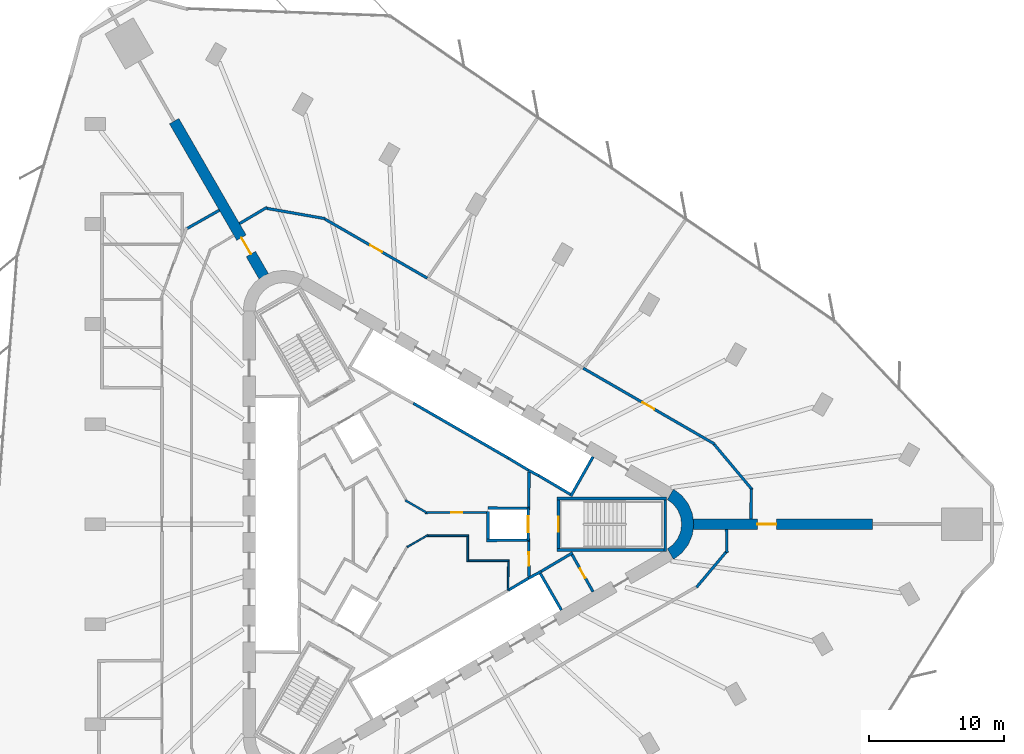
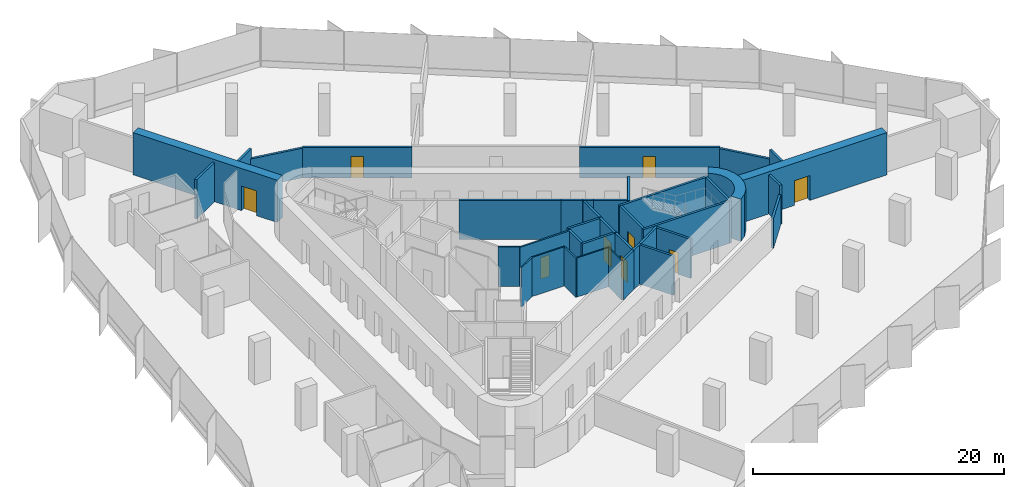
# One storey, part 12 of 15: 39 walls, 9 doors, 9 openings.
"""IFC4 building model written with IfcOpenShell, lengths in metres."""

from ifc_helpers import new_model, si_unit, direction, frame, frame_2d, origin, place, context, subcontext, project, spatial, polyline, rectangle, outline, extrude, material, layer, layer_set, type_object, element, fill, save


model = new_model("IFC4")

# Units and contexts
model_context = context("Model", 3, precision=1e-05, world=origin(), true_north=direction((0.0, 1.0)))
body_context = subcontext(model_context, "Body", "Model", "MODEL_VIEW")
ifc_project = project(units=[si_unit("LENGTHUNIT", "METRE"), si_unit("AREAUNIT", "SQUARE_METRE"), si_unit("VOLUMEUNIT", "CUBIC_METRE"), si_unit("PLANEANGLEUNIT", "RADIAN"), si_unit("MASSUNIT", "GRAM", prefix="KILO")], contexts=[model_context])

# Site, building, storey
site_placement = place(None, origin())
site = spatial("IfcSite", under=ifc_project, at=site_placement, CompositionType="ELEMENT")
building_placement = place(site_placement, origin())
building = spatial("IfcBuilding", under=site, at=building_placement, Name="Tanit Gate Tower", CompositionType="ELEMENT")
storey_placement = place(building_placement, frame((0.0, 0.0, 98.800048828125)))
storey = spatial("IfcBuildingStorey", under=building, at=storey_placement, Name="L20", CompositionType="ELEMENT", Elevation=98.800048828125)

# Wall, opening, door
ifc_material_1 = material(Name="Concrete C60/75", Category="concrete")
ifc_layer_1 = layer(ifc_material_1, 0.800048828125)
ifc_layer_set_1 = layer_set([ifc_layer_1], Name="BUTTRESS FIN 800 C60/75")
wall_type_1 = type_object("IfcWallType", Name="BUTTRESS FIN 800 C60/75", PredefinedType="SHEAR", material=ifc_layer_set_1)
wall_1_placement = place(storey_placement, frame((21.14990234375, 0.0, 0.0), z_axis=(0.0, 0.0, 1.0), x_axis=(1.0, 0.0, 0.0)))
wall_1 = element("IfcWall", 1, at=wall_1_placement, inside=storey, type_object=wall_type_1, Name="BUTTRESS FIN", PredefinedType="SHEAR", context=body_context, shape_type="SweptSolid", body=[
    extrude(rectangle(XDim=13.240966796875, YDim=0.800048828125, at=frame_2d((6.62060546875, 0.0))), origin(), (0.0, 0.0, 1.0), 4.099853515625),
])
opening_1_placement = place(wall_1_placement, frame((4.75, 0.0, 0.0)))
opening_1 = element("IfcOpeningElement", 2, at=opening_1_placement, cuts=wall_1, Name="Opening P14-S04-F-E-1", PredefinedType="OPENING", context=body_context, shape_type="SweptSolid", body=[
    extrude(rectangle(XDim=1.39990234375, YDim=2.39990234375, at=frame_2d((0.699951171875, 1.199951171875))), frame((0.0, 0.41015625, 0.0), z_axis=(0.0, -1.0, 0.0), x_axis=(1.0, 0.0, 0.0)), (0.0, 0.0, 1.0), 0.820068359375),
])
ifc_material_2 = material(Name="Timber door leaf", Category="wood")
door_type_1 = type_object("IfcDoorType", Name="INT-DOOR-FIN-PAIR-1400", OperationType="NOTDEFINED", PredefinedType="NOTDEFINED", material=ifc_material_2)
door_1_placement = place(opening_1_placement, origin())
door_1 = element("IfcDoor", 3, at=door_1_placement, inside=storey, type_object=door_type_1, Name="Door P14-S04-F-E-1", OperationType="DOUBLE_DOOR_SINGLE_SWING", OverallHeight=2.39990234375, OverallWidth=1.39990234375, PredefinedType="NOTDEFINED", context=body_context, shape_type="SweptSolid", body=[
    extrude(rectangle(XDim=1.39990234375, YDim=2.39990234375, at=frame_2d((0.699951171875, 1.199951171875))), frame((0.0, 0.02490234375, 0.0), z_axis=(0.0, -1.0, 0.0), x_axis=(1.0, 0.0, 0.0)), (0.0, 0.0, 1.0), 0.050048828125),
])
fill(opening_1, door_1)

wall_2_placement = place(storey_placement, frame((-10.574951171875, 18.31640625, 0.0), z_axis=(0.0, 0.0, 1.0), x_axis=(-0.500006018292, 0.866021929094, 0.0)))
wall_2 = element("IfcWall", 4, at=wall_2_placement, inside=storey, type_object=wall_type_1, Name="BUTTRESS FIN", PredefinedType="SHEAR", context=body_context, shape_type="SweptSolid", body=[
    extrude(rectangle(XDim=13.240966796875, YDim=0.800048828125, at=frame_2d((6.62060546875, 0.0))), origin(), (0.0, 0.0, 1.0), 4.099853515625),
])
opening_2_placement = place(wall_2_placement, frame((1.89990234375, 0.0, 0.0)))
opening_2 = element("IfcOpeningElement", 5, at=opening_2_placement, cuts=wall_2, Name="Opening P14-S04-F-NW-1", PredefinedType="OPENING", context=body_context, shape_type="SweptSolid", body=[
    extrude(rectangle(XDim=1.39990234375, YDim=2.39990234375, at=frame_2d((0.699951171875, 1.199951171875))), frame((0.0, 0.41015625, 0.0), z_axis=(0.0, -1.0, 0.0), x_axis=(1.0, 0.0, 0.0)), (0.0, 0.0, 1.0), 0.820068359375),
])
door_2_placement = place(opening_2_placement, origin())
door_2 = element("IfcDoor", 6, at=door_2_placement, inside=storey, type_object=door_type_1, Name="Door P14-S04-F-NW-1", OperationType="DOUBLE_DOOR_SINGLE_SWING", OverallHeight=2.39990234375, OverallWidth=1.39990234375, PredefinedType="NOTDEFINED", context=body_context, shape_type="SweptSolid", body=[
    extrude(rectangle(XDim=1.39990234375, YDim=2.39990234375, at=frame_2d((0.699951171875, 1.199951171875))), frame((0.0, 0.02490234375, 0.0), z_axis=(0.0, -1.0, 0.0), x_axis=(1.0, 0.0, 0.0)), (0.0, 0.0, 1.0), 0.050048828125),
])
fill(opening_2, door_2)

# Walls
ifc_material_3 = material(Name="Concrete C60/75", Category="concrete")
ifc_layer_2 = layer(ifc_material_3, 0.89990234375)
ifc_layer_set_2 = layer_set([ifc_layer_2], Name="CORE WALL 900 C60/75")
wall_type_2 = type_object("IfcWallType", Name="CORE WALL 900 C60/75", PredefinedType="SHEAR", material=ifc_layer_set_2)
wall_3_placement = place(storey_placement, origin())
element("IfcWall", 7, at=wall_3_placement, inside=storey, type_object=wall_type_2, Name="CORE WALL CORNER", PredefinedType="SHEAR", context=body_context, shape_type="SweptSolid", body=[
    extrude(outline(polyline([(19.699951171875, -2.59814453125), (20.3212890625, -2.121337890625), (20.798095703125, -1.5), (21.097900390625, -0.776611328125), (21.199951171875, 0.0), (21.097900390625, 0.776611328125), (20.798095703125, 1.5), (20.3212890625, 2.121337890625), (19.699951171875, 2.59814453125), (19.25, 1.818603515625), (19.684814453125, 1.48486328125), (20.018798828125, 1.050048828125), (20.228515625, 0.54345703125), (20.300048828125, 0.0), (20.228515625, -0.54345703125), (20.018798828125, -1.050048828125), (19.684814453125, -1.48486328125), (19.25, -1.818603515625), (19.699951171875, -2.59814453125)])), origin(), (0.0, 0.0, 1.0), 4.099853515625),
])
ifc_material_4 = material(Name="Fire-rated gypsum board partition")
ifc_layer_3 = layer(ifc_material_4, 0.199951171875)
ifc_layer_set_3 = layer_set([ifc_layer_3], Name="INT-WALL-COMPARTMENT")
wall_type_3 = type_object("IfcWallType", Name="INT-WALL-COMPARTMENT", PredefinedType="PARTITIONING", material=ifc_layer_set_3)
wall_4_placement = place(storey_placement, frame((12.244873046875, -2.10888671875, 0.0), z_axis=(0.0, 0.0, 1.0), x_axis=(-0.860414880418, -0.509594185166, 0.0)))
element("IfcWall", 8, at=wall_4_placement, inside=storey, type_object=wall_type_3, Name="Wall Compartment W057", PredefinedType="PARTITIONING", context=body_context, shape_type="SweptSolid", body=[
    extrude(rectangle(XDim=2.7001953125, YDim=0.199951171875, at=frame_2d((1.35009765625, 0.0))), origin(), (0.0, 0.0, 1.0), 3.800048828125),
])

# Wall, opening, door
wall_5_placement = place(storey_placement, frame((13.758056640625, -4.989501953125, 0.0), z_axis=(0.0, 0.0, 1.0), x_axis=(-0.491993409184, 0.87059892334, 0.0)))
wall_5 = element("IfcWall", 9, at=wall_5_placement, inside=storey, type_object=wall_type_3, Name="Wall Compartment W058", PredefinedType="PARTITIONING", context=body_context, shape_type="SweptSolid", body=[
    extrude(rectangle(XDim=3.150146484375, YDim=0.199951171875, at=frame_2d((1.5751953125, 0.0))), origin(), (0.0, 0.0, 1.0), 3.800048828125),
])
opening_3_placement = place(wall_5_placement, frame((1.175048828125, 0.0, 0.0)))
opening_3 = element("IfcOpeningElement", 10, at=opening_3_placement, cuts=wall_5, Name="Opening R08-S04-14", PredefinedType="OPENING", context=body_context, shape_type="SweptSolid", body=[
    extrude(rectangle(XDim=0.800048828125, YDim=2.10009765625, at=frame_2d((0.39990234375, 1.050048828125))), frame((0.0, 0.10986328125, 0.0), z_axis=(0.0, -1.0, 0.0), x_axis=(1.0, 0.0, 0.0)), (0.0, 0.0, 1.0), 0.219970703125),
])
ifc_material_5 = material(Name="Timber door leaf", Category="wood")
door_type_2 = type_object("IfcDoorType", Name="INT-DOOR-RISER-800", OperationType="NOTDEFINED", PredefinedType="USERDEFINED", material=ifc_material_5)
door_3_placement = place(opening_3_placement, origin())
door_3 = element("IfcDoor", 11, at=door_3_placement, inside=storey, type_object=door_type_2, Name="Door R08-S04-14", ObjectType="FIRE DOOR", OperationType="SINGLE_SWING_LEFT", OverallHeight=2.10009765625, OverallWidth=0.800048828125, PredefinedType="USERDEFINED", context=body_context, shape_type="SweptSolid", body=[
    extrude(rectangle(XDim=0.800048828125, YDim=2.10009765625, at=frame_2d((0.39990234375, 1.050048828125))), frame((0.0, 0.02490234375, 0.0), z_axis=(0.0, -1.0, 0.0), x_axis=(1.0, 0.0, 0.0)), (0.0, 0.0, 1.0), 0.050048828125),
])
fill(opening_3, door_3)

# Wall
wall_6_placement = place(storey_placement, frame((9.0009765625, 1.27001953125, 0.0), z_axis=(0.0, 0.0, 1.0), x_axis=(0.010784614026, 0.999941844359, 0.0)))
element("IfcWall", 12, at=wall_6_placement, inside=storey, type_object=wall_type_3, Name="Wall Compartment W059", PredefinedType="PARTITIONING", context=body_context, shape_type="SweptSolid", body=[
    extrude(rectangle(XDim=2.580810546875, YDim=0.199951171875, at=frame_2d((1.29052734375, 0.0))), origin(), (0.0, 0.0, 1.0), 3.800048828125),
])

# Wall, opening, door
wall_7_placement = place(storey_placement, frame((9.02880859375, -3.850830078125, 0.0), z_axis=(0.0, 0.0, 1.0), x_axis=(-0.010783593937, 0.99994185536, 0.0)))
wall_7 = element("IfcWall", 13, at=wall_7_placement, inside=storey, type_object=wall_type_3, Name="Wall Compartment W060", PredefinedType="PARTITIONING", context=body_context, shape_type="SweptSolid", body=[
    extrude(rectangle(XDim=2.5810546875, YDim=0.199951171875, at=frame_2d((1.29052734375, 0.0))), origin(), (0.0, 0.0, 1.0), 3.800048828125),
])
opening_4_placement = place(wall_7_placement, frame((0.79052734375, 0.0, 0.0)))
opening_4 = element("IfcOpeningElement", 14, at=opening_4_placement, cuts=wall_7, Name="Opening F10-S04-02", PredefinedType="OPENING", context=body_context, shape_type="SweptSolid", body=[
    extrude(rectangle(XDim=1.0, YDim=2.10009765625, at=frame_2d((0.5, 1.050048828125))), frame((0.0, 0.10986328125, 0.0), z_axis=(0.0, -1.0, 0.0), x_axis=(1.0, 0.0, 0.0)), (0.0, 0.0, 1.0), 0.219970703125),
])
ifc_material_6 = material(Name="Fire-rated steel door leaf", Category="steel")
door_type_3 = type_object("IfcDoorType", Name="INT-DOOR-FIRE-1000", OperationType="NOTDEFINED", PredefinedType="USERDEFINED", material=ifc_material_6)
door_4_placement = place(opening_4_placement, origin())
door_4 = element("IfcDoor", 15, at=door_4_placement, inside=storey, type_object=door_type_3, Name="Door F10-S04-02", ObjectType="FIRE DOOR", OperationType="SINGLE_SWING_RIGHT", OverallHeight=2.10009765625, OverallWidth=1.0, PredefinedType="USERDEFINED", context=body_context, shape_type="SweptSolid", body=[
    extrude(rectangle(XDim=1.0, YDim=2.10009765625, at=frame_2d((0.5, 1.050048828125))), frame((0.0, 0.02490234375, 0.0), z_axis=(0.0, -1.0, 0.0), x_axis=(1.0, 0.0, 0.0)), (0.0, 0.0, 1.0), 0.050048828125),
])
fill(opening_4, door_4)

# Walls
wall_8_placement = place(storey_placement, frame((-13.8564453125, 23.199951171875, 0.0), z_axis=(0.0, 0.0, 1.0), x_axis=(-0.870639942446, -0.491920817426, 0.0)))
element("IfcWall", 16, at=wall_8_placement, inside=storey, type_object=wall_type_3, Name="Wall Compartment W095", PredefinedType="PARTITIONING", context=body_context, shape_type="SweptSolid", body=[
    extrude(rectangle(XDim=2.771240234375, YDim=0.199951171875, at=frame_2d((1.3857421875, 0.0))), origin(), (0.0, 0.0, 1.0), 3.800048828125),
])
wall_9_placement = place(storey_placement, frame((-10.3388671875, 23.4150390625, 0.0), z_axis=(0.0, 0.0, 1.0), x_axis=(-0.860316803263, -0.509759745393, 0.0)))
element("IfcWall", 17, at=wall_9_placement, inside=storey, type_object=wall_type_3, Name="Wall Compartment W103", PredefinedType="PARTITIONING", context=body_context, shape_type="SweptSolid", body=[
    extrude(rectangle(XDim=2.35400390625, YDim=0.199951171875, at=frame_2d((1.177001953125, 0.0))), origin(), (0.0, 0.0, 1.0), 3.800048828125),
])
wall_10_placement = place(storey_placement, frame((-6.042236328125, 22.58056640625, 0.0), z_axis=(0.0, 0.0, 1.0), x_axis=(-0.984805258509, 0.173662324106, 0.0)))
element("IfcWall", 18, at=wall_10_placement, inside=storey, type_object=wall_type_3, Name="Wall Compartment W104", PredefinedType="PARTITIONING", context=body_context, shape_type="SweptSolid", body=[
    extrude(rectangle(XDim=4.415771484375, YDim=0.199951171875, at=frame_2d((2.2080078125, 0.0))), origin(), (0.0, 0.0, 1.0), 2.8798828125),
])

# Wall, opening, door
wall_11_placement = place(storey_placement, frame((22.727294921875, 5.930908203125, 0.0), z_axis=(0.0, 0.0, 1.0), x_axis=(-0.866021821949, 0.50000620387, 0.0)))
wall_11 = element("IfcWall", 19, at=wall_11_placement, inside=storey, type_object=wall_type_3, Name="Wall Compartment W107", PredefinedType="PARTITIONING", context=body_context, shape_type="SweptSolid", body=[
    extrude(rectangle(XDim=11.196533203125, YDim=0.199951171875, at=frame_2d((5.59814453125, 0.0))), origin(), (0.0, 0.0, 1.0), 2.97998046875),
])
opening_5_placement = place(wall_11_placement, frame((5.13623046875, 0.0, 0.0)))
opening_5 = element("IfcOpeningElement", 20, at=opening_5_placement, cuts=wall_11, Name="Opening F10-S04-28", PredefinedType="OPENING", context=body_context, shape_type="SweptSolid", body=[
    extrude(rectangle(XDim=1.0, YDim=2.10009765625, at=frame_2d((0.5, 1.050048828125))), frame((0.0, 0.10986328125, 0.0), z_axis=(0.0, -1.0, 0.0), x_axis=(1.0, 0.0, 0.0)), (0.0, 0.0, 1.0), 0.219970703125),
])
door_5_placement = place(opening_5_placement, origin())
door_5 = element("IfcDoor", 21, at=door_5_placement, inside=storey, type_object=door_type_3, Name="Door F10-S04-28", ObjectType="FIRE DOOR", OperationType="SINGLE_SWING_RIGHT", OverallHeight=2.10009765625, OverallWidth=1.0, PredefinedType="USERDEFINED", context=body_context, shape_type="SweptSolid", body=[
    extrude(rectangle(XDim=1.0, YDim=2.10009765625, at=frame_2d((0.5, 1.050048828125))), frame((0.0, 0.02490234375, 0.0), z_axis=(0.0, -1.0, 0.0), x_axis=(1.0, 0.0, 0.0)), (0.0, 0.0, 1.0), 0.050048828125),
])
fill(opening_5, door_5)

wall_12_placement = place(storey_placement, frame((1.506103515625, 18.18310546875, 0.0), z_axis=(0.0, 0.0, 1.0), x_axis=(-0.866028170149, 0.499995208485, 0.0)))
wall_12 = element("IfcWall", 22, at=wall_12_placement, inside=storey, type_object=wall_type_3, Name="Wall Compartment W105", PredefinedType="PARTITIONING", context=body_context, shape_type="SweptSolid", body=[
    extrude(rectangle(XDim=8.7294921875, YDim=0.199951171875, at=frame_2d((4.36474609375, 0.0))), origin(), (0.0, 0.0, 1.0), 2.97998046875),
])
opening_6_placement = place(wall_12_placement, frame((3.86474609375, 0.0, 0.0)))
opening_6 = element("IfcOpeningElement", 23, at=opening_6_placement, cuts=wall_12, Name="Opening F10-S04-26", PredefinedType="OPENING", context=body_context, shape_type="SweptSolid", body=[
    extrude(rectangle(XDim=1.0, YDim=2.10009765625, at=frame_2d((0.5, 1.050048828125))), frame((0.0, 0.10986328125, 0.0), z_axis=(0.0, -1.0, 0.0), x_axis=(1.0, 0.0, 0.0)), (0.0, 0.0, 1.0), 0.219970703125),
])
door_6_placement = place(opening_6_placement, origin())
door_6 = element("IfcDoor", 24, at=door_6_placement, inside=storey, type_object=door_type_3, Name="Door F10-S04-26", ObjectType="FIRE DOOR", OperationType="SINGLE_SWING_RIGHT", OverallHeight=2.10009765625, OverallWidth=1.0, PredefinedType="USERDEFINED", context=body_context, shape_type="SweptSolid", body=[
    extrude(rectangle(XDim=1.0, YDim=2.10009765625, at=frame_2d((0.5, 1.050048828125))), frame((0.0, 0.02490234375, 0.0), z_axis=(0.0, -1.0, 0.0), x_axis=(1.0, 0.0, 0.0)), (0.0, 0.0, 1.0), 0.050048828125),
])
fill(opening_6, door_6)

# Walls
wall_13_placement = place(storey_placement, frame((25.52099609375, 2.548095703125, 0.0), z_axis=(0.0, 0.0, 1.0), x_axis=(-0.642784253626, 0.766047259176, 0.0)))
element("IfcWall", 25, at=wall_13_placement, inside=storey, type_object=wall_type_3, Name="Wall Compartment W108", PredefinedType="PARTITIONING", context=body_context, shape_type="SweptSolid", body=[
    extrude(rectangle(XDim=4.381103515625, YDim=0.199951171875, at=frame_2d((2.1904296875, 0.0))), origin(), (0.0, 0.0, 1.0), 2.8798828125),
])
wall_14_placement = place(storey_placement, frame((25.420654296875, 0.39990234375, 0.0), z_axis=(0.0, 0.0, 1.0), x_axis=(0.011376843137, 0.999935281626, 0.0)))
element("IfcWall", 26, at=wall_14_placement, inside=storey, type_object=wall_type_3, Name="Wall Compartment W109", PredefinedType="PARTITIONING", context=body_context, shape_type="SweptSolid", body=[
    extrude(rectangle(XDim=2.18896484375, YDim=0.199951171875, at=frame_2d((1.094482421875, 0.0))), origin(), (0.0, 0.0, 1.0), 3.800048828125),
])
wall_15_placement = place(storey_placement, frame((23.64794921875, -2.097900390625, 0.0), z_axis=(0.0, 0.0, 1.0), x_axis=(-0.015095332307, 0.99988605898, 0.0)))
element("IfcWall", 27, at=wall_15_placement, inside=storey, type_object=wall_type_3, Name="Wall Compartment W110", PredefinedType="PARTITIONING", context=body_context, shape_type="SweptSolid", body=[
    extrude(rectangle(XDim=1.6982421875, YDim=0.199951171875, at=frame_2d((0.84912109375, 0.0))), origin(), (0.0, 0.0, 1.0), 3.800048828125),
])
wall_16_placement = place(storey_placement, frame((21.4013671875, -4.657470703125, 0.0), z_axis=(0.0, 0.0, 1.0), x_axis=(0.642796210095, 0.766037226437, 0.0)))
element("IfcWall", 28, at=wall_16_placement, inside=storey, type_object=wall_type_3, Name="Wall Compartment W111", PredefinedType="PARTITIONING", context=body_context, shape_type="SweptSolid", body=[
    extrude(rectangle(XDim=3.44287109375, YDim=0.199951171875, at=frame_2d((1.721435546875, 0.0))), origin(), (0.0, 0.0, 1.0), 2.8798828125),
])
ifc_material_7 = material(Name="Gypsum board partition")
ifc_layer_4 = layer(ifc_material_7, 0.1201171875)
ifc_layer_set_4 = layer_set([ifc_layer_4], Name="INT-WALL-PARTITION")
wall_type_4 = type_object("IfcWallType", Name="INT-WALL-PARTITION", PredefinedType="PARTITIONING", material=ifc_layer_set_4)
wall_17_placement = place(storey_placement, frame((1.562255859375, -0.798095703125, 0.0), z_axis=(0.0, 0.0, 1.0), x_axis=(-0.86601248742, -0.500022371132, 0.0)))
element("IfcWall", 29, at=wall_17_placement, inside=storey, type_object=wall_type_4, Name="Wall Partition W069", PredefinedType="PARTITIONING", context=body_context, shape_type="SweptSolid", body=[
    extrude(rectangle(XDim=1.78515625, YDim=0.1201171875, at=frame_2d((0.892578125, 0.0))), origin(), (0.0, 0.0, 1.0), 3.800048828125),
])
wall_18_placement = place(storey_placement, frame((4.56005859375, -0.85009765625, 0.0), z_axis=(0.0, 0.0, 1.0), x_axis=(-1.0, 0.0, 0.0)))
element("IfcWall", 30, at=wall_18_placement, inside=storey, type_object=wall_type_4, Name="Wall Partition W070", PredefinedType="PARTITIONING", context=body_context, shape_type="SweptSolid", body=[
    extrude(rectangle(XDim=3.0693359375, YDim=0.1201171875, at=frame_2d((1.53466796875, 0.0))), origin(), (0.0, 0.0, 1.0), 3.800048828125),
])
wall_19_placement = place(storey_placement, frame((4.5, -2.760009765625, 0.0), z_axis=(0.0, 0.0, 1.0), x_axis=(0.0, 1.0, 0.0)))
element("IfcWall", 31, at=wall_19_placement, inside=storey, type_object=wall_type_4, Name="Wall Partition W071", PredefinedType="PARTITIONING", context=body_context, shape_type="SweptSolid", body=[
    extrude(rectangle(XDim=1.85009765625, YDim=0.1201171875, at=frame_2d((0.925048828125, 0.0))), origin(), (0.0, 0.0, 1.0), 3.800048828125),
])
wall_20_placement = place(storey_placement, frame((7.56005859375, -2.699951171875, 0.0), z_axis=(0.0, 0.0, 1.0), x_axis=(-1.0, 0.0, 0.0)))
element("IfcWall", 32, at=wall_20_placement, inside=storey, type_object=wall_type_4, Name="Wall Partition W072", PredefinedType="PARTITIONING", context=body_context, shape_type="SweptSolid", body=[
    extrude(rectangle(XDim=3.0, YDim=0.1201171875, at=frame_2d((1.5, 0.0))), origin(), (0.0, 0.0, 1.0), 3.800048828125),
])
wall_21_placement = place(storey_placement, frame((7.474609375, -4.864501953125, 0.0), z_axis=(0.0, 0.0, 1.0), x_axis=(0.011716133148, 0.999931363757, 0.0)))
element("IfcWall", 33, at=wall_21_placement, inside=storey, type_object=wall_type_4, Name="Wall Partition W073", PredefinedType="PARTITIONING", context=body_context, shape_type="SweptSolid", body=[
    extrude(rectangle(XDim=2.104736328125, YDim=0.1201171875, at=frame_2d((1.05224609375, 0.0))), origin(), (0.0, 0.0, 1.0), 3.800048828125),
])

# Wall, opening, door
ifc_material_8 = material(Name="Fire-rated gypsum board partition")
ifc_layer_5 = layer(ifc_material_8, 0.14990234375)
ifc_layer_set_5 = layer_set([ifc_layer_5], Name="INT-WALL-RISER")
wall_type_5 = type_object("IfcWallType", Name="INT-WALL-RISER", PredefinedType="PLUMBINGWALL", material=ifc_layer_set_5)
wall_22_placement = place(storey_placement, frame((1.34423828125, 0.84912109375, 0.0), z_axis=(0.0, 0.0, 1.0), x_axis=(0.999978627641, 0.00653790957, 0.0)))
wall_22 = element("IfcWall", 34, at=wall_22_placement, inside=storey, type_object=wall_type_5, Name="Wall Riser W065", PredefinedType="PLUMBINGWALL", context=body_context, shape_type="SweptSolid", body=[
    extrude(rectangle(XDim=4.5556640625, YDim=0.14990234375, at=frame_2d((2.27783203125, 0.0))), origin(), (0.0, 0.0, 1.0), 3.800048828125),
])
opening_7_placement = place(wall_22_placement, frame((1.94189453125, 0.0, 0.0)))
opening_7 = element("IfcOpeningElement", 35, at=opening_7_placement, cuts=wall_22, Name="Opening R08-S04-10", PredefinedType="OPENING", context=body_context, shape_type="SweptSolid", body=[
    extrude(rectangle(XDim=0.800048828125, YDim=2.10009765625, at=frame_2d((0.39990234375, 1.050048828125))), frame((0.0, 0.0849609375, 0.0), z_axis=(0.0, -1.0, 0.0), x_axis=(1.0, 0.0, 0.0)), (0.0, 0.0, 1.0), 0.169921875),
])
door_7_placement = place(opening_7_placement, origin())
door_7 = element("IfcDoor", 36, at=door_7_placement, inside=storey, type_object=door_type_2, Name="Door R08-S04-10", ObjectType="FIRE DOOR", OperationType="SINGLE_SWING_RIGHT", OverallHeight=2.10009765625, OverallWidth=0.800048828125, PredefinedType="USERDEFINED", context=body_context, shape_type="SweptSolid", body=[
    extrude(rectangle(XDim=0.800048828125, YDim=2.10009765625, at=frame_2d((0.39990234375, 1.050048828125))), frame((0.0, 0.02490234375, 0.0), z_axis=(0.0, -1.0, 0.0), x_axis=(1.0, 0.0, 0.0)), (0.0, 0.0, 1.0), 0.050048828125),
])
fill(opening_7, door_7)

# Walls
wall_23_placement = place(storey_placement, frame((-0.11083984375, 1.763916015625, 0.0), z_axis=(0.0, 0.0, 1.0), x_axis=(0.866061671171, -0.499937177781, 0.0)))
element("IfcWall", 37, at=wall_23_placement, inside=storey, type_object=wall_type_5, Name="Wall Riser W066", PredefinedType="PLUMBINGWALL", context=body_context, shape_type="SweptSolid", body=[
    extrude(rectangle(XDim=1.804443359375, YDim=0.14990234375, at=frame_2d((0.90234375, 0.0))), origin(), (0.0, 0.0, 1.0), 3.800048828125),
])
ifc_material_9 = material(Name="Gypsum shaft wall system")
ifc_layer_6 = layer(ifc_material_9, 0.199951171875)
ifc_layer_set_6 = layer_set([ifc_layer_6], Name="INT-WALL-SHAFT")
wall_type_6 = type_object("IfcWallType", Name="INT-WALL-SHAFT", PredefinedType="PLUMBINGWALL", material=ifc_layer_set_6)
wall_24_placement = place(storey_placement, frame((7.497314453125, 4.885986328125, 0.0), z_axis=(0.0, 0.0, 1.0), x_axis=(-0.866030989016, 0.499990325971, 0.0)))
element("IfcWall", 38, at=wall_24_placement, inside=storey, type_object=wall_type_6, Name="Wall Shaft W003", PredefinedType="PLUMBINGWALL", context=body_context, shape_type="SweptSolid", body=[
    extrude(rectangle(XDim=8.099853515625, YDim=0.199951171875, at=frame_2d((4.0498046875, 0.0))), origin(), (0.0, 0.0, 1.0), 3.800048828125),
])
wall_25_placement = place(storey_placement, frame((12.10986328125, 2.07275390625, 0.0), z_axis=(0.0, 0.0, 1.0), x_axis=(0.49196600604, 0.870614408852, 0.0)))
element("IfcWall", 39, at=wall_25_placement, inside=storey, type_object=wall_type_6, Name="Wall Shaft W013", PredefinedType="PLUMBINGWALL", context=body_context, shape_type="SweptSolid", body=[
    extrude(rectangle(XDim=3.35009765625, YDim=0.199951171875, at=frame_2d((1.675048828125, 0.0))), origin(), (0.0, 0.0, 1.0), 3.800048828125),
])
wall_26_placement = place(storey_placement, frame((12.072998046875, 2.2109375, 0.0), z_axis=(0.0, 0.0, 1.0), x_axis=(-0.860438357912, 0.509554542943, 0.0)))
element("IfcWall", 40, at=wall_26_placement, inside=storey, type_object=wall_type_6, Name="Wall Shaft W014", PredefinedType="PLUMBINGWALL", context=body_context, shape_type="SweptSolid", body=[
    extrude(rectangle(XDim=2.700439453125, YDim=0.199951171875, at=frame_2d((1.35009765625, 0.0))), origin(), (0.0, 0.0, 1.0), 3.800048828125),
])
wall_27_placement = place(storey_placement, frame((9.74755859375, 3.583251953125, 0.0), z_axis=(0.0, 0.0, 1.0), x_axis=(-0.880917147855, 0.473270513147, 0.0)))
element("IfcWall", 41, at=wall_27_placement, inside=storey, type_object=wall_type_6, Name="Wall Shaft W015", PredefinedType="PLUMBINGWALL", context=body_context, shape_type="SweptSolid", body=[
    extrude(rectangle(XDim=0.8779296875, YDim=0.199951171875, at=frame_2d((0.43896484375, 0.0))), origin(), (0.0, 0.0, 1.0), 3.800048828125),
])
wall_28_placement = place(storey_placement, frame((9.0791015625, 3.93701171875, 0.0), z_axis=(0.0, 0.0, 1.0), x_axis=(-0.857516281273, 0.51445682749, 0.0)))
element("IfcWall", 42, at=wall_28_placement, inside=storey, type_object=wall_type_6, Name="Wall Shaft W016", PredefinedType="PLUMBINGWALL", context=body_context, shape_type="SweptSolid", body=[
    extrude(rectangle(XDim=1.8447265625, YDim=0.199951171875, at=frame_2d((0.92236328125, 0.0))), origin(), (0.0, 0.0, 1.0), 3.800048828125),
])
wall_29_placement = place(storey_placement, frame((9.794677734375, -3.52490234375, 0.0), z_axis=(0.0, 0.0, 1.0), x_axis=(0.499984717929, -0.866034226713, 0.0)))
element("IfcWall", 43, at=wall_29_placement, inside=storey, type_object=wall_type_6, Name="Wall Shaft W024", PredefinedType="PLUMBINGWALL", context=body_context, shape_type="SweptSolid", body=[
    extrude(rectangle(XDim=3.25, YDim=0.199951171875, at=frame_2d((1.625, 0.0))), origin(), (0.0, 0.0, 1.0), 3.800048828125),
])
wall_30_placement = place(storey_placement, frame((8.97412109375, -3.998779296875, 0.0), z_axis=(0.0, 0.0, 1.0), x_axis=(0.880907015104, 0.473289373154, 0.0)))
element("IfcWall", 44, at=wall_30_placement, inside=storey, type_object=wall_type_6, Name="Wall Shaft W025", PredefinedType="PLUMBINGWALL", context=body_context, shape_type="SweptSolid", body=[
    extrude(rectangle(XDim=1.078125, YDim=0.199951171875, at=frame_2d((0.5390625, 0.0))), origin(), (0.0, 0.0, 1.0), 3.800048828125),
])
wall_31_placement = place(storey_placement, frame((7.4931640625, -4.87841796875, 0.0), z_axis=(0.0, 0.0, 1.0), x_axis=(0.859981807212, 0.510324691999, 0.0)))
element("IfcWall", 45, at=wall_31_placement, inside=storey, type_object=wall_type_6, Name="Wall Shaft W026", PredefinedType="PLUMBINGWALL", context=body_context, shape_type="SweptSolid", body=[
    extrude(rectangle(XDim=1.8447265625, YDim=0.199951171875, at=frame_2d((0.92236328125, 0.0))), origin(), (0.0, 0.0, 1.0), 3.800048828125),
])

# Wall, opening, door
wall_32_placement = place(storey_placement, frame((8.969970703125, 1.199951171875, 0.0), z_axis=(0.0, 0.0, 1.0), x_axis=(0.0, -1.0, 0.0)))
wall_32 = element("IfcWall", 46, at=wall_32_placement, inside=storey, type_object=wall_type_6, Name="Wall Shaft W037", PredefinedType="PLUMBINGWALL", context=body_context, shape_type="SweptSolid", body=[
    extrude(rectangle(XDim=2.39990234375, YDim=0.199951171875, at=frame_2d((1.199951171875, 0.0))), origin(), (0.0, 0.0, 1.0), 3.800048828125),
])
opening_8_placement = place(wall_32_placement, frame((0.60009765625, 0.0, 0.0)))
opening_8 = element("IfcOpeningElement", 47, at=opening_8_placement, cuts=wall_32, Name="Opening LDFL1-L20", PredefinedType="OPENING", context=body_context, shape_type="SweptSolid", body=[
    extrude(rectangle(XDim=1.199951171875, YDim=2.39990234375, at=frame_2d((0.60009765625, 1.199951171875))), frame((0.0, 0.10986328125, 0.0), z_axis=(0.0, -1.0, 0.0), x_axis=(1.0, 0.0, 0.0)), (0.0, 0.0, 1.0), 0.219970703125),
])
ifc_material_10 = material(Name="Stainless steel sliding door leaf", Category="steel")
door_type_4 = type_object("IfcDoorType", Name="INT-DOOR-LANDING-1200", OperationType="NOTDEFINED", PredefinedType="USERDEFINED", material=ifc_material_10)
door_8_placement = place(opening_8_placement, origin())
door_8 = element("IfcDoor", 48, at=door_8_placement, inside=storey, type_object=door_type_4, Name="Door LDFL1-L20", ObjectType="LANDING DOOR", OperationType="SLIDING_TO_LEFT", OverallHeight=2.39990234375, OverallWidth=1.199951171875, PredefinedType="USERDEFINED", context=body_context, shape_type="SweptSolid", body=[
    extrude(rectangle(XDim=1.199951171875, YDim=2.39990234375, at=frame_2d((0.60009765625, 1.199951171875))), frame((0.0, 0.02490234375, 0.0), z_axis=(0.0, -1.0, 0.0), x_axis=(1.0, 0.0, 0.0)), (0.0, 0.0, 1.0), 0.050048828125),
])
fill(opening_8, door_8)

# Walls
wall_33_placement = place(storey_placement, frame((6.0, 1.199951171875, 0.0), z_axis=(0.0, 0.0, 1.0), x_axis=(0.999949988, -0.010001074852, 0.0)))
element("IfcWall", 49, at=wall_33_placement, inside=storey, type_object=wall_type_6, Name="Wall Shaft W038", PredefinedType="PLUMBINGWALL", context=body_context, shape_type="SweptSolid", body=[
    extrude(rectangle(XDim=3.100341796875, YDim=0.199951171875, at=frame_2d((1.55029296875, 0.0))), origin(), (0.0, 0.0, 1.0), 3.800048828125),
])
wall_34_placement = place(storey_placement, frame((5.89990234375, -1.200927734375, 0.0), z_axis=(0.0, 0.0, 1.0), x_axis=(0.999950064753, 0.009993397809, 0.0)))
element("IfcWall", 50, at=wall_34_placement, inside=storey, type_object=wall_type_6, Name="Wall Shaft W039", PredefinedType="PLUMBINGWALL", context=body_context, shape_type="SweptSolid", body=[
    extrude(rectangle(XDim=3.200439453125, YDim=0.199951171875, at=frame_2d((1.60009765625, 0.0))), origin(), (0.0, 0.0, 1.0), 3.800048828125),
])
wall_35_placement = place(storey_placement, frame((6.0, -1.10009765625, 0.0), z_axis=(0.0, 0.0, 1.0), x_axis=(0.0, 1.0, 0.0)))
element("IfcWall", 51, at=wall_35_placement, inside=storey, type_object=wall_type_6, Name="Wall Shaft W040", PredefinedType="PLUMBINGWALL", context=body_context, shape_type="SweptSolid", body=[
    extrude(rectangle(XDim=2.0546875, YDim=0.199951171875, at=frame_2d((1.02734375, 0.0))), origin(), (0.0, 0.0, 1.0), 3.800048828125),
])
ifc_material_11 = material(Name="Concrete C40/50", Category="concrete")
ifc_layer_7 = layer(ifc_material_11, 0.199951171875)
ifc_layer_set_7 = layer_set([ifc_layer_7], Name="INT-WALL-STAIR")
wall_type_7 = type_object("IfcWallType", Name="INT-WALL-STAIR", PredefinedType="SHEAR", material=ifc_layer_set_7)
wall_36_placement = place(storey_placement, frame((19.199951171875, 1.89990234375, -0.300048828125), z_axis=(0.0, 0.0, 1.0), x_axis=(-1.0, 0.0, 0.0)))
element("IfcWall", 52, at=wall_36_placement, inside=storey, type_object=wall_type_7, Name="Wall Stair W033", PredefinedType="SHEAR", context=body_context, shape_type="SweptSolid", body=[
    extrude(rectangle(XDim=8.099853515625, YDim=0.199951171875, at=frame_2d((4.0498046875, 0.0))), origin(), (0.0, 0.0, 1.0), 4.10009765625),
])
wall_37_placement = place(storey_placement, frame((19.10009765625, -2.0, -0.300048828125), z_axis=(0.0, 0.0, 1.0), x_axis=(0.0, 1.0, 0.0)))
element("IfcWall", 53, at=wall_37_placement, inside=storey, type_object=wall_type_7, Name="Wall Stair W034", PredefinedType="SHEAR", context=body_context, shape_type="SweptSolid", body=[
    extrude(rectangle(XDim=3.800048828125, YDim=0.199951171875, at=frame_2d((1.89990234375, 0.0))), origin(), (0.0, 0.0, 1.0), 4.10009765625),
])
wall_38_placement = place(storey_placement, frame((11.10009765625, -1.89990234375, -0.300048828125), z_axis=(0.0, 0.0, 1.0), x_axis=(1.0, 0.0, 0.0)))
element("IfcWall", 54, at=wall_38_placement, inside=storey, type_object=wall_type_7, Name="Wall Stair W035", PredefinedType="SHEAR", context=body_context, shape_type="SweptSolid", body=[
    extrude(rectangle(XDim=7.89990234375, YDim=0.199951171875, at=frame_2d((3.949951171875, 0.0))), origin(), (0.0, 0.0, 1.0), 4.10009765625),
])

# Wall, opening, door
wall_39_placement = place(storey_placement, frame((11.199951171875, -1.800048828125, -0.300048828125), z_axis=(0.0, 0.0, 1.0), x_axis=(0.0, 1.0, 0.0)))
wall_39 = element("IfcWall", 55, at=wall_39_placement, inside=storey, type_object=wall_type_7, Name="Wall Stair W036", PredefinedType="SHEAR", context=body_context, shape_type="SweptSolid", body=[
    extrude(rectangle(XDim=3.60009765625, YDim=0.199951171875, at=frame_2d((1.800048828125, 0.0))), origin(), (0.0, 0.0, 1.0), 4.10009765625),
])
opening_9_placement = place(wall_39_placement, frame((1.25, 0.0, 0.300048828125)))
opening_9 = element("IfcOpeningElement", 56, at=opening_9_placement, cuts=wall_39, Name="Opening S11-S04-01", PredefinedType="OPENING", context=body_context, shape_type="SweptSolid", body=[
    extrude(rectangle(XDim=1.10009765625, YDim=2.10009765625, at=frame_2d((0.550048828125, 1.050048828125))), frame((0.0, 0.10986328125, 0.0), z_axis=(0.0, -1.0, 0.0), x_axis=(1.0, 0.0, 0.0)), (0.0, 0.0, 1.0), 0.219970703125),
])
ifc_material_12 = material(Name="Timber door leaf", Category="wood")
door_type_5 = type_object("IfcDoorType", Name="INT-DOOR-STAIR-1100", OperationType="NOTDEFINED", PredefinedType="USERDEFINED", material=ifc_material_12)
door_9_placement = place(opening_9_placement, origin())
door_9 = element("IfcDoor", 57, at=door_9_placement, inside=storey, type_object=door_type_5, Name="Door S11-S04-01", ObjectType="FIRE DOOR", OperationType="SINGLE_SWING_RIGHT", OverallHeight=2.10009765625, OverallWidth=1.10009765625, PredefinedType="USERDEFINED", context=body_context, shape_type="SweptSolid", body=[
    extrude(rectangle(XDim=1.10009765625, YDim=2.10009765625, at=frame_2d((0.550048828125, 1.050048828125))), frame((0.0, 0.02490234375, 0.0), z_axis=(0.0, -1.0, 0.0), x_axis=(1.0, 0.0, 0.0)), (0.0, 0.0, 1.0), 0.050048828125),
])
fill(opening_9, door_9)

save(model, "model.ifc")
